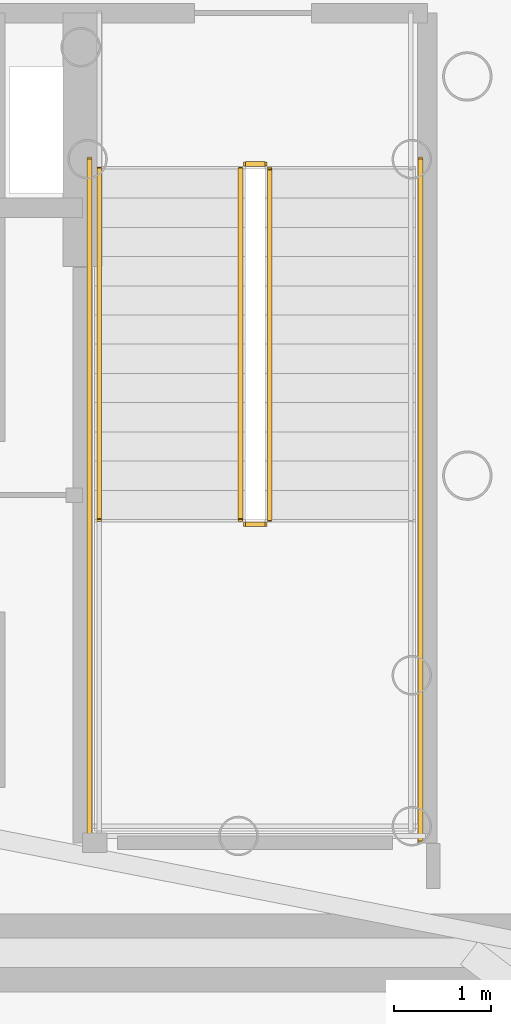
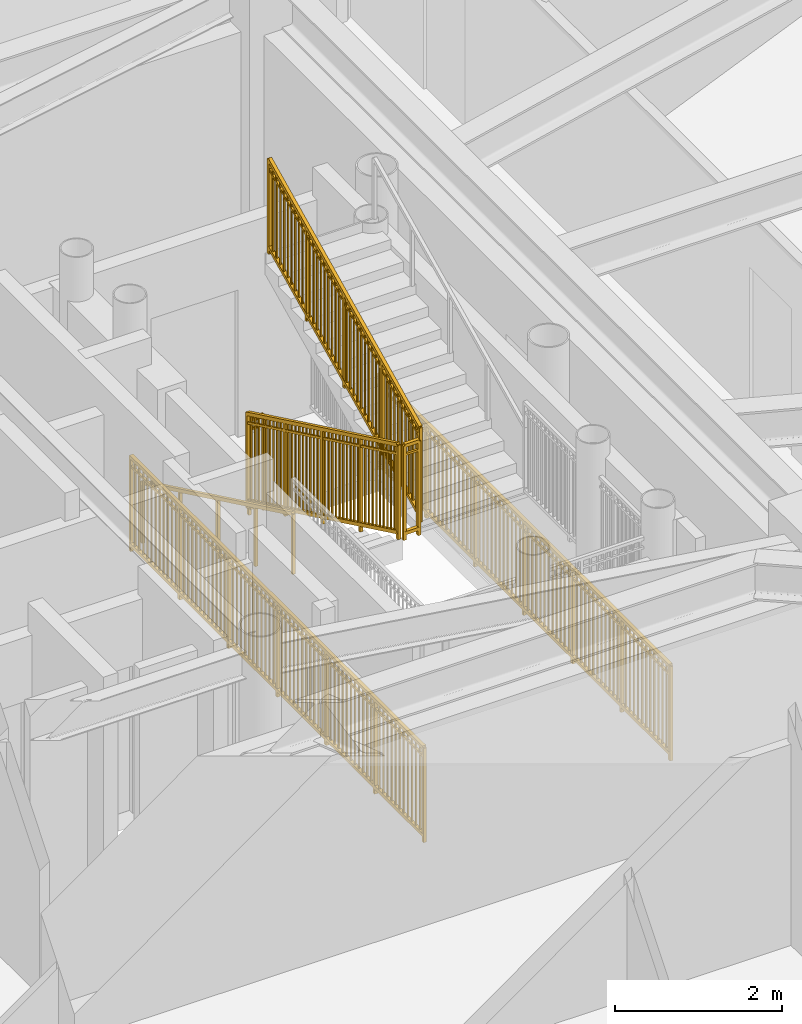
# One storey, part 16 of 18: 7 railings.
"""IFC4 building model written with IfcOpenShell, lengths in metres."""

from ifc_helpers import new_model, si_unit, direction, frame, origin, origin_2d, place, context, subcontext, project, spatial, rectangle, extrude, source, transform, mapped, material, type_object, element, save


model = new_model("IFC4")

# Units and contexts
model_context = context("Model", 3, precision=1e-05, world=origin(), true_north=direction((0.0, 1.0)))
body_context = subcontext(model_context, "Body", "Model", "MODEL_VIEW")
ifc_project = project(units=[si_unit("LENGTHUNIT", "METRE"), si_unit("AREAUNIT", "SQUARE_METRE"), si_unit("VOLUMEUNIT", "CUBIC_METRE"), si_unit("PLANEANGLEUNIT", "RADIAN"), si_unit("MASSUNIT", "GRAM", prefix="KILO")], contexts=[model_context])

# Site, building, storey
site_placement = place(None, origin())
site = spatial("IfcSite", under=ifc_project, at=site_placement, CompositionType="ELEMENT")
building_placement = place(site_placement, origin())
building = spatial("IfcBuilding", under=site, at=building_placement, Name="Linh Dai School and Residence Tower", CompositionType="ELEMENT")
storey_placement = place(building_placement, frame((0.0, 0.0, 104.699951171875)))
storey = spatial("IfcBuildingStorey", under=building, at=storey_placement, Name="L24", CompositionType="ELEMENT", Elevation=104.699951171875)

# Railings
ifc_material_1 = material(Name="Structural Steel S355JR", Category="steel")
railing_type_1 = type_object("IfcRailingType", Name="RL-ST-GUARD-1400", PredefinedType="GUARDRAIL", material=ifc_material_1)
shared_shape_1 = source(origin(), body_context, "Body", "SweptSolid", [
    extrude(rectangle(XDim=0.048095703125, YDim=0.048095703125, at=origin_2d()), frame((0.0, 0.0, 1.3759765625), z_axis=(0.0, 0.901262522062, 0.433273431364), x_axis=(-1.0, 0.0, 0.0)), (0.0, 0.0, 1.0), 3.994384765625),
    extrude(rectangle(XDim=0.048095703125, YDim=0.048095703125, at=origin_2d()), frame((0.0, 0.0, 0.10009765625), z_axis=(0.0, 0.901262522062, 0.433273431364), x_axis=(-1.0, 0.0, 0.0)), (0.0, 0.0, 1.0), 3.994384765625),
    extrude(rectangle(XDim=0.030029296875, YDim=0.030029296875, at=origin_2d()), frame((0.0, 0.0, 1.239990234375), z_axis=(0.0, 0.901262522062, 0.433273431364), x_axis=(-1.0, 0.0, 0.0)), (0.0, 0.0, 1.0), 3.994384765625),
    extrude(rectangle(XDim=0.02001953125, YDim=0.02001953125, at=origin_2d()), frame((0.0, 0.087890625, 0.142333984375)), (0.0, 0.0, 1.0), 1.251708984375),
    extrude(rectangle(XDim=0.02001953125, YDim=0.02001953125, at=origin_2d()), frame((0.0, 0.175537109375, 0.1845703125)), (0.0, 0.0, 1.0), 1.251708984375),
    extrude(rectangle(XDim=0.02001953125, YDim=0.02001953125, at=origin_2d()), frame((0.0, 0.263427734375, 0.226806640625)), (0.0, 0.0, 1.0), 1.251708984375),
    extrude(rectangle(XDim=0.02001953125, YDim=0.02001953125, at=origin_2d()), frame((0.0, 0.351318359375, 0.26904296875)), (0.0, 0.0, 1.0), 1.251708984375),
    extrude(rectangle(XDim=0.02001953125, YDim=0.02001953125, at=origin_2d()), frame((0.0, 0.43896484375, 0.311279296875)), (0.0, 0.0, 1.0), 1.251708984375),
    extrude(rectangle(XDim=0.02001953125, YDim=0.02001953125, at=origin_2d()), frame((0.0, 0.52685546875, 0.353271484375)), (0.0, 0.0, 1.0), 1.251708984375),
    extrude(rectangle(XDim=0.02001953125, YDim=0.02001953125, at=origin_2d()), frame((0.0, 0.61474609375, 0.3955078125)), (0.0, 0.0, 1.0), 1.251708984375),
    extrude(rectangle(XDim=0.02001953125, YDim=0.02001953125, at=origin_2d()), frame((0.0, 0.702392578125, 0.437744140625)), (0.0, 0.0, 1.0), 1.251708984375),
    extrude(rectangle(XDim=0.02001953125, YDim=0.02001953125, at=origin_2d()), frame((0.0, 0.790283203125, 0.47998046875)), (0.0, 0.0, 1.0), 1.251708984375),
    extrude(rectangle(XDim=0.02001953125, YDim=0.02001953125, at=origin_2d()), frame((0.0, 0.9658203125, 0.564453125)), (0.0, 0.0, 1.0), 1.251708984375),
    extrude(rectangle(XDim=0.02001953125, YDim=0.02001953125, at=origin_2d()), frame((0.0, 1.0537109375, 0.606689453125)), (0.0, 0.0, 1.0), 1.251708984375),
    extrude(rectangle(XDim=0.02001953125, YDim=0.02001953125, at=origin_2d()), frame((0.0, 1.1416015625, 0.64892578125)), (0.0, 0.0, 1.0), 1.251708984375),
    extrude(rectangle(XDim=0.02001953125, YDim=0.02001953125, at=origin_2d()), frame((0.0, 1.229248046875, 0.691162109375)), (0.0, 0.0, 1.0), 1.251708984375),
    extrude(rectangle(XDim=0.02001953125, YDim=0.02001953125, at=origin_2d()), frame((0.0, 1.317138671875, 0.7333984375)), (0.0, 0.0, 1.0), 1.251708984375),
    extrude(rectangle(XDim=0.02001953125, YDim=0.02001953125, at=origin_2d()), frame((0.0, 1.405029296875, 0.775390625)), (0.0, 0.0, 1.0), 1.251708984375),
    extrude(rectangle(XDim=0.02001953125, YDim=0.02001953125, at=origin_2d()), frame((0.0, 1.49267578125, 0.817626953125)), (0.0, 0.0, 1.0), 1.251708984375),
    extrude(rectangle(XDim=0.02001953125, YDim=0.02001953125, at=origin_2d()), frame((0.0, 1.58056640625, 0.85986328125)), (0.0, 0.0, 1.0), 1.251708984375),
    extrude(rectangle(XDim=0.02001953125, YDim=0.02001953125, at=origin_2d()), frame((0.0, 1.66845703125, 0.902099609375)), (0.0, 0.0, 1.0), 1.251708984375),
    extrude(rectangle(XDim=0.02001953125, YDim=0.02001953125, at=origin_2d()), frame((0.0, 1.756103515625, 0.9443359375)), (0.0, 0.0, 1.0), 1.251708984375),
    extrude(rectangle(XDim=0.02001953125, YDim=0.02001953125, at=origin_2d()), frame((0.0, 1.843994140625, 0.986572265625)), (0.0, 0.0, 1.0), 1.251708984375),
    extrude(rectangle(XDim=0.02001953125, YDim=0.02001953125, at=origin_2d()), frame((0.0, 1.931640625, 1.02880859375)), (0.0, 0.0, 1.0), 1.251708984375),
    extrude(rectangle(XDim=0.02001953125, YDim=0.02001953125, at=origin_2d()), frame((0.0, 2.01953125, 1.071044921875)), (0.0, 0.0, 1.0), 1.251708984375),
    extrude(rectangle(XDim=0.02001953125, YDim=0.02001953125, at=origin_2d()), frame((0.0, 2.107421875, 1.11328125)), (0.0, 0.0, 1.0), 1.251708984375),
    extrude(rectangle(XDim=0.02001953125, YDim=0.02001953125, at=origin_2d()), frame((0.0, 2.195068359375, 1.155517578125)), (0.0, 0.0, 1.0), 1.251708984375),
    extrude(rectangle(XDim=0.02001953125, YDim=0.02001953125, at=origin_2d()), frame((0.0, 2.282958984375, 1.197509765625)), (0.0, 0.0, 1.0), 1.251708984375),
    extrude(rectangle(XDim=0.02001953125, YDim=0.02001953125, at=origin_2d()), frame((0.0, 2.370849609375, 1.23974609375)), (0.0, 0.0, 1.0), 1.251708984375),
    extrude(rectangle(XDim=0.02001953125, YDim=0.02001953125, at=origin_2d()), frame((0.0, 2.45849609375, 1.281982421875)), (0.0, 0.0, 1.0), 1.251708984375),
    extrude(rectangle(XDim=0.02001953125, YDim=0.02001953125, at=origin_2d()), frame((0.0, 2.54638671875, 1.32421875)), (0.0, 0.0, 1.0), 1.251708984375),
    extrude(rectangle(XDim=0.02001953125, YDim=0.02001953125, at=origin_2d()), frame((0.0, 2.63427734375, 1.366455078125)), (0.0, 0.0, 1.0), 1.251708984375),
    extrude(rectangle(XDim=0.02001953125, YDim=0.02001953125, at=origin_2d()), frame((0.0, 2.809814453125, 1.450927734375)), (0.0, 0.0, 1.0), 1.251708984375),
    extrude(rectangle(XDim=0.02001953125, YDim=0.02001953125, at=origin_2d()), frame((0.0, 2.897705078125, 1.4931640625)), (0.0, 0.0, 1.0), 1.251708984375),
    extrude(rectangle(XDim=0.02001953125, YDim=0.02001953125, at=origin_2d()), frame((0.0, 2.9853515625, 1.535400390625)), (0.0, 0.0, 1.0), 1.251708984375),
    extrude(rectangle(XDim=0.02001953125, YDim=0.02001953125, at=origin_2d()), frame((0.0, 3.0732421875, 1.57763671875)), (0.0, 0.0, 1.0), 1.251708984375),
    extrude(rectangle(XDim=0.02001953125, YDim=0.02001953125, at=origin_2d()), frame((0.0, 3.1611328125, 1.61962890625)), (0.0, 0.0, 1.0), 1.251708984375),
    extrude(rectangle(XDim=0.02001953125, YDim=0.02001953125, at=origin_2d()), frame((0.0, 3.248779296875, 1.661865234375)), (0.0, 0.0, 1.0), 1.251708984375),
    extrude(rectangle(XDim=0.02001953125, YDim=0.02001953125, at=origin_2d()), frame((0.0, 3.336669921875, 1.7041015625)), (0.0, 0.0, 1.0), 1.251708984375),
    extrude(rectangle(XDim=0.02001953125, YDim=0.02001953125, at=origin_2d()), frame((0.0, 3.424560546875, 1.746337890625)), (0.0, 0.0, 1.0), 1.251708984375),
    extrude(rectangle(XDim=0.02001953125, YDim=0.02001953125, at=origin_2d()), frame((0.0, 3.51220703125, 1.78857421875)), (0.0, 0.0, 1.0), 1.251708984375),
    extrude(rectangle(XDim=0.0419921875, YDim=0.0419921875, at=origin_2d()), origin(), (0.0, 0.0, 1.0), 1.3759765625),
    extrude(rectangle(XDim=0.0419921875, YDim=0.0419921875, at=origin_2d()), frame((0.0, 0.89990234375, 0.4326171875)), (0.0, 0.0, 1.0), 1.3759765625),
    extrude(rectangle(XDim=0.0419921875, YDim=0.0419921875, at=origin_2d()), frame((0.0, 1.800048828125, 0.865234375)), (0.0, 0.0, 1.0), 1.3759765625),
    extrude(rectangle(XDim=0.0419921875, YDim=0.0419921875, at=origin_2d()), frame((0.0, 2.7001953125, 1.298095703125)), (0.0, 0.0, 1.0), 1.3759765625),
    extrude(rectangle(XDim=0.0419921875, YDim=0.0419921875, at=origin_2d()), frame((0.0, 3.60009765625, 1.730712890625)), (0.0, 0.0, 1.0), 1.3759765625),
])
railing_1_placement = place(storey_placement, frame((42.820068359375, 24.64990234375, 2.019287109375)))
element("IfcRailing", 1, at=railing_1_placement, inside=storey, type_object=railing_type_1, Name="L24 ST2 stair guard 6", PredefinedType="GUARDRAIL", context=body_context, shape_type="MappedRepresentation", body=[
    mapped(shared_shape_1, transform((0.0, 0.0, 0.0), x_axis=(1.0, 0.0, 0.0), y_axis=(0.0, 1.0, 0.0), z_axis=(0.0, 0.0, 1.0), scale=1.0)),
])
shared_shape_2 = source(origin(), body_context, "Body", "SweptSolid", [
    extrude(rectangle(XDim=0.048095703125, YDim=0.048095703125, at=origin_2d()), frame((0.0, 0.0, 1.3759765625), z_axis=(0.0, -0.901262522062, 0.433273431364), x_axis=(1.0, 0.0, 0.0)), (0.0, 0.0, 1.0), 3.994384765625),
    extrude(rectangle(XDim=0.048095703125, YDim=0.048095703125, at=origin_2d()), frame((0.0, 0.0, 0.10009765625), z_axis=(0.0, -0.901262522062, 0.433273431364), x_axis=(1.0, 0.0, 0.0)), (0.0, 0.0, 1.0), 3.994384765625),
    extrude(rectangle(XDim=0.030029296875, YDim=0.030029296875, at=origin_2d()), frame((0.0, 0.0, 1.239990234375), z_axis=(0.0, -0.901262522062, 0.433273431364), x_axis=(1.0, 0.0, 0.0)), (0.0, 0.0, 1.0), 3.994384765625),
    extrude(rectangle(XDim=0.02001953125, YDim=0.02001953125, at=origin_2d()), frame((0.0, -0.087890625, 0.142333984375)), (0.0, 0.0, 1.0), 1.251708984375),
    extrude(rectangle(XDim=0.02001953125, YDim=0.02001953125, at=origin_2d()), frame((0.0, -0.175537109375, 0.1845703125)), (0.0, 0.0, 1.0), 1.251708984375),
    extrude(rectangle(XDim=0.02001953125, YDim=0.02001953125, at=origin_2d()), frame((0.0, -0.263427734375, 0.226806640625)), (0.0, 0.0, 1.0), 1.251708984375),
    extrude(rectangle(XDim=0.02001953125, YDim=0.02001953125, at=origin_2d()), frame((0.0, -0.351318359375, 0.26904296875)), (0.0, 0.0, 1.0), 1.251708984375),
    extrude(rectangle(XDim=0.02001953125, YDim=0.02001953125, at=origin_2d()), frame((0.0, -0.43896484375, 0.311279296875)), (0.0, 0.0, 1.0), 1.251708984375),
    extrude(rectangle(XDim=0.02001953125, YDim=0.02001953125, at=origin_2d()), frame((0.0, -0.52685546875, 0.353271484375)), (0.0, 0.0, 1.0), 1.251708984375),
    extrude(rectangle(XDim=0.02001953125, YDim=0.02001953125, at=origin_2d()), frame((0.0, -0.61474609375, 0.3955078125)), (0.0, 0.0, 1.0), 1.251708984375),
    extrude(rectangle(XDim=0.02001953125, YDim=0.02001953125, at=origin_2d()), frame((0.0, -0.702392578125, 0.437744140625)), (0.0, 0.0, 1.0), 1.251708984375),
    extrude(rectangle(XDim=0.02001953125, YDim=0.02001953125, at=origin_2d()), frame((0.0, -0.790283203125, 0.47998046875)), (0.0, 0.0, 1.0), 1.251708984375),
    extrude(rectangle(XDim=0.02001953125, YDim=0.02001953125, at=origin_2d()), frame((0.0, -0.9658203125, 0.564453125)), (0.0, 0.0, 1.0), 1.251708984375),
    extrude(rectangle(XDim=0.02001953125, YDim=0.02001953125, at=origin_2d()), frame((0.0, -1.0537109375, 0.606689453125)), (0.0, 0.0, 1.0), 1.251708984375),
    extrude(rectangle(XDim=0.02001953125, YDim=0.02001953125, at=origin_2d()), frame((0.0, -1.1416015625, 0.64892578125)), (0.0, 0.0, 1.0), 1.251708984375),
    extrude(rectangle(XDim=0.02001953125, YDim=0.02001953125, at=origin_2d()), frame((0.0, -1.229248046875, 0.691162109375)), (0.0, 0.0, 1.0), 1.251708984375),
    extrude(rectangle(XDim=0.02001953125, YDim=0.02001953125, at=origin_2d()), frame((0.0, -1.317138671875, 0.7333984375)), (0.0, 0.0, 1.0), 1.251708984375),
    extrude(rectangle(XDim=0.02001953125, YDim=0.02001953125, at=origin_2d()), frame((0.0, -1.405029296875, 0.775390625)), (0.0, 0.0, 1.0), 1.251708984375),
    extrude(rectangle(XDim=0.02001953125, YDim=0.02001953125, at=origin_2d()), frame((0.0, -1.49267578125, 0.817626953125)), (0.0, 0.0, 1.0), 1.251708984375),
    extrude(rectangle(XDim=0.02001953125, YDim=0.02001953125, at=origin_2d()), frame((0.0, -1.58056640625, 0.85986328125)), (0.0, 0.0, 1.0), 1.251708984375),
    extrude(rectangle(XDim=0.02001953125, YDim=0.02001953125, at=origin_2d()), frame((0.0, -1.66845703125, 0.902099609375)), (0.0, 0.0, 1.0), 1.251708984375),
    extrude(rectangle(XDim=0.02001953125, YDim=0.02001953125, at=origin_2d()), frame((0.0, -1.756103515625, 0.9443359375)), (0.0, 0.0, 1.0), 1.251708984375),
    extrude(rectangle(XDim=0.02001953125, YDim=0.02001953125, at=origin_2d()), frame((0.0, -1.843994140625, 0.986572265625)), (0.0, 0.0, 1.0), 1.251708984375),
    extrude(rectangle(XDim=0.02001953125, YDim=0.02001953125, at=origin_2d()), frame((0.0, -1.931640625, 1.02880859375)), (0.0, 0.0, 1.0), 1.251708984375),
    extrude(rectangle(XDim=0.02001953125, YDim=0.02001953125, at=origin_2d()), frame((0.0, -2.01953125, 1.071044921875)), (0.0, 0.0, 1.0), 1.251708984375),
    extrude(rectangle(XDim=0.02001953125, YDim=0.02001953125, at=origin_2d()), frame((0.0, -2.107421875, 1.11328125)), (0.0, 0.0, 1.0), 1.251708984375),
    extrude(rectangle(XDim=0.02001953125, YDim=0.02001953125, at=origin_2d()), frame((0.0, -2.195068359375, 1.155517578125)), (0.0, 0.0, 1.0), 1.251708984375),
    extrude(rectangle(XDim=0.02001953125, YDim=0.02001953125, at=origin_2d()), frame((0.0, -2.282958984375, 1.197509765625)), (0.0, 0.0, 1.0), 1.251708984375),
    extrude(rectangle(XDim=0.02001953125, YDim=0.02001953125, at=origin_2d()), frame((0.0, -2.370849609375, 1.23974609375)), (0.0, 0.0, 1.0), 1.251708984375),
    extrude(rectangle(XDim=0.02001953125, YDim=0.02001953125, at=origin_2d()), frame((0.0, -2.45849609375, 1.281982421875)), (0.0, 0.0, 1.0), 1.251708984375),
    extrude(rectangle(XDim=0.02001953125, YDim=0.02001953125, at=origin_2d()), frame((0.0, -2.54638671875, 1.32421875)), (0.0, 0.0, 1.0), 1.251708984375),
    extrude(rectangle(XDim=0.02001953125, YDim=0.02001953125, at=origin_2d()), frame((0.0, -2.63427734375, 1.366455078125)), (0.0, 0.0, 1.0), 1.251708984375),
    extrude(rectangle(XDim=0.02001953125, YDim=0.02001953125, at=origin_2d()), frame((0.0, -2.809814453125, 1.450927734375)), (0.0, 0.0, 1.0), 1.251708984375),
    extrude(rectangle(XDim=0.02001953125, YDim=0.02001953125, at=origin_2d()), frame((0.0, -2.897705078125, 1.4931640625)), (0.0, 0.0, 1.0), 1.251708984375),
    extrude(rectangle(XDim=0.02001953125, YDim=0.02001953125, at=origin_2d()), frame((0.0, -2.9853515625, 1.535400390625)), (0.0, 0.0, 1.0), 1.251708984375),
    extrude(rectangle(XDim=0.02001953125, YDim=0.02001953125, at=origin_2d()), frame((0.0, -3.0732421875, 1.57763671875)), (0.0, 0.0, 1.0), 1.251708984375),
    extrude(rectangle(XDim=0.02001953125, YDim=0.02001953125, at=origin_2d()), frame((0.0, -3.1611328125, 1.61962890625)), (0.0, 0.0, 1.0), 1.251708984375),
    extrude(rectangle(XDim=0.02001953125, YDim=0.02001953125, at=origin_2d()), frame((0.0, -3.248779296875, 1.661865234375)), (0.0, 0.0, 1.0), 1.251708984375),
    extrude(rectangle(XDim=0.02001953125, YDim=0.02001953125, at=origin_2d()), frame((0.0, -3.336669921875, 1.7041015625)), (0.0, 0.0, 1.0), 1.251708984375),
    extrude(rectangle(XDim=0.02001953125, YDim=0.02001953125, at=origin_2d()), frame((0.0, -3.424560546875, 1.746337890625)), (0.0, 0.0, 1.0), 1.251708984375),
    extrude(rectangle(XDim=0.02001953125, YDim=0.02001953125, at=origin_2d()), frame((0.0, -3.51220703125, 1.78857421875)), (0.0, 0.0, 1.0), 1.251708984375),
    extrude(rectangle(XDim=0.0419921875, YDim=0.0419921875, at=origin_2d()), origin(), (0.0, 0.0, 1.0), 1.3759765625),
    extrude(rectangle(XDim=0.0419921875, YDim=0.0419921875, at=origin_2d()), frame((0.0, -0.89990234375, 0.4326171875)), (0.0, 0.0, 1.0), 1.3759765625),
    extrude(rectangle(XDim=0.0419921875, YDim=0.0419921875, at=origin_2d()), frame((0.0, -1.800048828125, 0.865234375)), (0.0, 0.0, 1.0), 1.3759765625),
    extrude(rectangle(XDim=0.0419921875, YDim=0.0419921875, at=origin_2d()), frame((0.0, -2.7001953125, 1.298095703125)), (0.0, 0.0, 1.0), 1.3759765625),
    extrude(rectangle(XDim=0.0419921875, YDim=0.0419921875, at=origin_2d()), frame((0.0, -3.60009765625, 1.730712890625)), (0.0, 0.0, 1.0), 1.3759765625),
])
railing_2_placement = place(storey_placement, frame((42.52001953125, 28.25, 0.144287109375)))
element("IfcRailing", 2, at=railing_2_placement, inside=storey, type_object=railing_type_1, Name="L24 ST2 stair guard 1", PredefinedType="GUARDRAIL", context=body_context, shape_type="MappedRepresentation", body=[
    mapped(shared_shape_2, transform((0.0, 0.0, 0.0), x_axis=(1.0, 0.0, 0.0), y_axis=(0.0, 1.0, 0.0), z_axis=(0.0, 0.0, 1.0), scale=1.0)),
])
ifc_material_2 = material(Name="Brushed Stainless Steel Handrail", Category="steel")
railing_type_2 = type_object("IfcRailingType", Name="RL-ST-HANDRAIL-900", PredefinedType="HANDRAIL", material=ifc_material_2)
shared_shape_3 = source(origin(), body_context, "Body", "SweptSolid", [
    extrude(rectangle(XDim=0.048095703125, YDim=0.048095703125, at=origin_2d()), frame((0.0, 0.0, 0.8759765625), z_axis=(0.0, -0.901262522062, 0.433273431364), x_axis=(1.0, 0.0, 0.0)), (0.0, 0.0, 1.0), 3.994384765625),
    extrude(rectangle(XDim=0.0419921875, YDim=0.0419921875, at=origin_2d()), origin(), (0.0, 0.0, 1.0), 0.8759765625),
    extrude(rectangle(XDim=0.0419921875, YDim=0.0419921875, at=origin_2d()), frame((0.0, -0.89990234375, 0.4326171875)), (0.0, 0.0, 1.0), 0.8759765625),
    extrude(rectangle(XDim=0.0419921875, YDim=0.0419921875, at=origin_2d()), frame((0.0, -1.800048828125, 0.865234375)), (0.0, 0.0, 1.0), 0.8759765625),
    extrude(rectangle(XDim=0.0419921875, YDim=0.0419921875, at=origin_2d()), frame((0.0, -2.7001953125, 1.298095703125)), (0.0, 0.0, 1.0), 0.8759765625),
    extrude(rectangle(XDim=0.0419921875, YDim=0.0419921875, at=origin_2d()), frame((0.0, -3.60009765625, 1.730712890625)), (0.0, 0.0, 1.0), 0.8759765625),
])
railing_3_placement = place(storey_placement, frame((41.070068359375, 28.25, 0.144287109375)))
element("IfcRailing", 3, at=railing_3_placement, inside=storey, type_object=railing_type_2, Name="L24 ST2 stair handrail 1", PredefinedType="HANDRAIL", context=body_context, shape_type="MappedRepresentation", body=[
    mapped(shared_shape_3, transform((0.0, 0.0, 0.0), x_axis=(1.0, 0.0, 0.0), y_axis=(0.0, 1.0, 0.0), z_axis=(0.0, 0.0, 1.0), scale=1.0)),
])
shared_shape_4 = source(origin(), body_context, "Body", "SweptSolid", [
    extrude(rectangle(XDim=0.048095703125, YDim=0.048095703125, at=origin_2d()), frame((0.0, 0.0, 1.3759765625), z_axis=(1.0, 0.0, 0.0), x_axis=(0.0, 1.0, 0.0)), (0.0, 0.0, 1.0), 0.199951171875),
    extrude(rectangle(XDim=0.048095703125, YDim=0.048095703125, at=origin_2d()), frame((0.0, 0.0, 0.10009765625), z_axis=(1.0, 0.0, 0.0), x_axis=(0.0, 1.0, 0.0)), (0.0, 0.0, 1.0), 0.199951171875),
    extrude(rectangle(XDim=0.030029296875, YDim=0.030029296875, at=origin_2d()), frame((0.0, 0.0, 1.239990234375), z_axis=(1.0, 0.0, 0.0), x_axis=(0.0, 1.0, 0.0)), (0.0, 0.0, 1.0), 0.199951171875),
    extrude(rectangle(XDim=0.0419921875, YDim=0.0419921875, at=origin_2d()), origin(), (0.0, 0.0, 1.0), 1.3759765625),
    extrude(rectangle(XDim=0.0419921875, YDim=0.0419921875, at=origin_2d()), frame((0.199951171875, 0.0, 0.0)), (0.0, 0.0, 1.0), 1.3759765625),
])
for number, where, name in (
    (4, (42.570068359375, 24.60009765625, 1.875), "L24 ST2 stair guard 2"),
    (5, (42.570068359375, 28.300048828125, 0.0), "L24 ST2 stair guard 7"),
):
    element("IfcRailing", number, at=place(storey_placement, frame(where)), inside=storey, type_object=railing_type_1, Name=name, PredefinedType="GUARDRAIL", context=body_context, shape_type="MappedRepresentation", body=[
        mapped(shared_shape_4, transform((0.0, 0.0, 0.0), x_axis=(1.0, 0.0, 0.0), y_axis=(0.0, 1.0, 0.0), z_axis=(0.0, 0.0, 1.0), scale=1.0)),
    ])
shared_shape_5 = source(origin(), body_context, "Body", "SweptSolid", [
    extrude(rectangle(XDim=0.048095703125, YDim=0.048095703125, at=origin_2d()), frame((0.0, 0.0, 1.3759765625), z_axis=(0.0, -1.0, 0.0), x_axis=(1.0, 0.0, 0.0)), (0.0, 0.0, 1.0), 7.0),
    extrude(rectangle(XDim=0.048095703125, YDim=0.048095703125, at=origin_2d()), frame((0.0, 0.0, 0.10009765625), z_axis=(0.0, -1.0, 0.0), x_axis=(1.0, 0.0, 0.0)), (0.0, 0.0, 1.0), 7.0),
    extrude(rectangle(XDim=0.030029296875, YDim=0.030029296875, at=origin_2d()), frame((0.0, 0.0, 1.239990234375), z_axis=(0.0, -1.0, 0.0), x_axis=(1.0, 0.0, 0.0)), (0.0, 0.0, 1.0), 7.0),
    extrude(rectangle(XDim=0.02001953125, YDim=0.02001953125, at=origin_2d()), frame((0.0, -0.09716796875, 0.10009765625)), (0.0, 0.0, 1.0), 1.251708984375),
    extrude(rectangle(XDim=0.02001953125, YDim=0.02001953125, at=origin_2d()), frame((0.0, -0.1943359375, 0.10009765625)), (0.0, 0.0, 1.0), 1.251708984375),
    extrude(rectangle(XDim=0.02001953125, YDim=0.02001953125, at=origin_2d()), frame((0.0, -0.291748046875, 0.10009765625)), (0.0, 0.0, 1.0), 1.251708984375),
    extrude(rectangle(XDim=0.02001953125, YDim=0.02001953125, at=origin_2d()), frame((0.0, -0.388916015625, 0.10009765625)), (0.0, 0.0, 1.0), 1.251708984375),
    extrude(rectangle(XDim=0.02001953125, YDim=0.02001953125, at=origin_2d()), frame((0.0, -0.486083984375, 0.10009765625)), (0.0, 0.0, 1.0), 1.251708984375),
    extrude(rectangle(XDim=0.02001953125, YDim=0.02001953125, at=origin_2d()), frame((0.0, -0.583251953125, 0.10009765625)), (0.0, 0.0, 1.0), 1.251708984375),
    extrude(rectangle(XDim=0.02001953125, YDim=0.02001953125, at=origin_2d()), frame((0.0, -0.6806640625, 0.10009765625)), (0.0, 0.0, 1.0), 1.251708984375),
    extrude(rectangle(XDim=0.02001953125, YDim=0.02001953125, at=origin_2d()), frame((0.0, -0.77783203125, 0.10009765625)), (0.0, 0.0, 1.0), 1.251708984375),
    extrude(rectangle(XDim=0.02001953125, YDim=0.02001953125, at=origin_2d()), frame((0.0, -0.875, 0.10009765625)), (0.0, 0.0, 1.0), 1.251708984375),
    extrude(rectangle(XDim=0.02001953125, YDim=0.02001953125, at=origin_2d()), frame((0.0, -0.97216796875, 0.10009765625)), (0.0, 0.0, 1.0), 1.251708984375),
    extrude(rectangle(XDim=0.02001953125, YDim=0.02001953125, at=origin_2d()), frame((0.0, -1.0693359375, 0.10009765625)), (0.0, 0.0, 1.0), 1.251708984375),
    extrude(rectangle(XDim=0.02001953125, YDim=0.02001953125, at=origin_2d()), frame((0.0, -1.263916015625, 0.10009765625)), (0.0, 0.0, 1.0), 1.251708984375),
    extrude(rectangle(XDim=0.02001953125, YDim=0.02001953125, at=origin_2d()), frame((0.0, -1.361083984375, 0.10009765625)), (0.0, 0.0, 1.0), 1.251708984375),
    extrude(rectangle(XDim=0.02001953125, YDim=0.02001953125, at=origin_2d()), frame((0.0, -1.458251953125, 0.10009765625)), (0.0, 0.0, 1.0), 1.251708984375),
    extrude(rectangle(XDim=0.02001953125, YDim=0.02001953125, at=origin_2d()), frame((0.0, -1.5556640625, 0.10009765625)), (0.0, 0.0, 1.0), 1.251708984375),
    extrude(rectangle(XDim=0.02001953125, YDim=0.02001953125, at=origin_2d()), frame((0.0, -1.65283203125, 0.10009765625)), (0.0, 0.0, 1.0), 1.251708984375),
    extrude(rectangle(XDim=0.02001953125, YDim=0.02001953125, at=origin_2d()), frame((0.0, -1.75, 0.10009765625)), (0.0, 0.0, 1.0), 1.251708984375),
    extrude(rectangle(XDim=0.02001953125, YDim=0.02001953125, at=origin_2d()), frame((0.0, -1.84716796875, 0.10009765625)), (0.0, 0.0, 1.0), 1.251708984375),
    extrude(rectangle(XDim=0.02001953125, YDim=0.02001953125, at=origin_2d()), frame((0.0, -1.9443359375, 0.10009765625)), (0.0, 0.0, 1.0), 1.251708984375),
    extrude(rectangle(XDim=0.02001953125, YDim=0.02001953125, at=origin_2d()), frame((0.0, -2.041748046875, 0.10009765625)), (0.0, 0.0, 1.0), 1.251708984375),
    extrude(rectangle(XDim=0.02001953125, YDim=0.02001953125, at=origin_2d()), frame((0.0, -2.138916015625, 0.10009765625)), (0.0, 0.0, 1.0), 1.251708984375),
    extrude(rectangle(XDim=0.02001953125, YDim=0.02001953125, at=origin_2d()), frame((0.0, -2.236083984375, 0.10009765625)), (0.0, 0.0, 1.0), 1.251708984375),
    extrude(rectangle(XDim=0.02001953125, YDim=0.02001953125, at=origin_2d()), frame((0.0, -2.4306640625, 0.10009765625)), (0.0, 0.0, 1.0), 1.251708984375),
    extrude(rectangle(XDim=0.02001953125, YDim=0.02001953125, at=origin_2d()), frame((0.0, -2.52783203125, 0.10009765625)), (0.0, 0.0, 1.0), 1.251708984375),
    extrude(rectangle(XDim=0.02001953125, YDim=0.02001953125, at=origin_2d()), frame((0.0, -2.625, 0.10009765625)), (0.0, 0.0, 1.0), 1.251708984375),
    extrude(rectangle(XDim=0.02001953125, YDim=0.02001953125, at=origin_2d()), frame((0.0, -2.72216796875, 0.10009765625)), (0.0, 0.0, 1.0), 1.251708984375),
    extrude(rectangle(XDim=0.02001953125, YDim=0.02001953125, at=origin_2d()), frame((0.0, -2.8193359375, 0.10009765625)), (0.0, 0.0, 1.0), 1.251708984375),
    extrude(rectangle(XDim=0.02001953125, YDim=0.02001953125, at=origin_2d()), frame((0.0, -2.916748046875, 0.10009765625)), (0.0, 0.0, 1.0), 1.251708984375),
    extrude(rectangle(XDim=0.02001953125, YDim=0.02001953125, at=origin_2d()), frame((0.0, -3.013916015625, 0.10009765625)), (0.0, 0.0, 1.0), 1.251708984375),
    extrude(rectangle(XDim=0.02001953125, YDim=0.02001953125, at=origin_2d()), frame((0.0, -3.111083984375, 0.10009765625)), (0.0, 0.0, 1.0), 1.251708984375),
    extrude(rectangle(XDim=0.02001953125, YDim=0.02001953125, at=origin_2d()), frame((0.0, -3.208251953125, 0.10009765625)), (0.0, 0.0, 1.0), 1.251708984375),
    extrude(rectangle(XDim=0.02001953125, YDim=0.02001953125, at=origin_2d()), frame((0.0, -3.3056640625, 0.10009765625)), (0.0, 0.0, 1.0), 1.251708984375),
    extrude(rectangle(XDim=0.02001953125, YDim=0.02001953125, at=origin_2d()), frame((0.0, -3.40283203125, 0.10009765625)), (0.0, 0.0, 1.0), 1.251708984375),
    extrude(rectangle(XDim=0.02001953125, YDim=0.02001953125, at=origin_2d()), frame((0.0, -3.59716796875, 0.10009765625)), (0.0, 0.0, 1.0), 1.251708984375),
    extrude(rectangle(XDim=0.02001953125, YDim=0.02001953125, at=origin_2d()), frame((0.0, -3.6943359375, 0.10009765625)), (0.0, 0.0, 1.0), 1.251708984375),
    extrude(rectangle(XDim=0.02001953125, YDim=0.02001953125, at=origin_2d()), frame((0.0, -3.791748046875, 0.10009765625)), (0.0, 0.0, 1.0), 1.251708984375),
    extrude(rectangle(XDim=0.02001953125, YDim=0.02001953125, at=origin_2d()), frame((0.0, -3.888916015625, 0.10009765625)), (0.0, 0.0, 1.0), 1.251708984375),
    extrude(rectangle(XDim=0.02001953125, YDim=0.02001953125, at=origin_2d()), frame((0.0, -3.986083984375, 0.10009765625)), (0.0, 0.0, 1.0), 1.251708984375),
    extrude(rectangle(XDim=0.02001953125, YDim=0.02001953125, at=origin_2d()), frame((0.0, -4.083251953125, 0.10009765625)), (0.0, 0.0, 1.0), 1.251708984375),
    extrude(rectangle(XDim=0.02001953125, YDim=0.02001953125, at=origin_2d()), frame((0.0, -4.1806640625, 0.10009765625)), (0.0, 0.0, 1.0), 1.251708984375),
    extrude(rectangle(XDim=0.02001953125, YDim=0.02001953125, at=origin_2d()), frame((0.0, -4.27783203125, 0.10009765625)), (0.0, 0.0, 1.0), 1.251708984375),
    extrude(rectangle(XDim=0.02001953125, YDim=0.02001953125, at=origin_2d()), frame((0.0, -4.375, 0.10009765625)), (0.0, 0.0, 1.0), 1.251708984375),
    extrude(rectangle(XDim=0.02001953125, YDim=0.02001953125, at=origin_2d()), frame((0.0, -4.47216796875, 0.10009765625)), (0.0, 0.0, 1.0), 1.251708984375),
    extrude(rectangle(XDim=0.02001953125, YDim=0.02001953125, at=origin_2d()), frame((0.0, -4.5693359375, 0.10009765625)), (0.0, 0.0, 1.0), 1.251708984375),
    extrude(rectangle(XDim=0.02001953125, YDim=0.02001953125, at=origin_2d()), frame((0.0, -4.763916015625, 0.10009765625)), (0.0, 0.0, 1.0), 1.251708984375),
    extrude(rectangle(XDim=0.02001953125, YDim=0.02001953125, at=origin_2d()), frame((0.0, -4.861083984375, 0.10009765625)), (0.0, 0.0, 1.0), 1.251708984375),
    extrude(rectangle(XDim=0.02001953125, YDim=0.02001953125, at=origin_2d()), frame((0.0, -4.958251953125, 0.10009765625)), (0.0, 0.0, 1.0), 1.251708984375),
    extrude(rectangle(XDim=0.02001953125, YDim=0.02001953125, at=origin_2d()), frame((0.0, -5.0556640625, 0.10009765625)), (0.0, 0.0, 1.0), 1.251708984375),
    extrude(rectangle(XDim=0.02001953125, YDim=0.02001953125, at=origin_2d()), frame((0.0, -5.15283203125, 0.10009765625)), (0.0, 0.0, 1.0), 1.251708984375),
    extrude(rectangle(XDim=0.02001953125, YDim=0.02001953125, at=origin_2d()), frame((0.0, -5.25, 0.10009765625)), (0.0, 0.0, 1.0), 1.251708984375),
    extrude(rectangle(XDim=0.02001953125, YDim=0.02001953125, at=origin_2d()), frame((0.0, -5.34716796875, 0.10009765625)), (0.0, 0.0, 1.0), 1.251708984375),
    extrude(rectangle(XDim=0.02001953125, YDim=0.02001953125, at=origin_2d()), frame((0.0, -5.4443359375, 0.10009765625)), (0.0, 0.0, 1.0), 1.251708984375),
    extrude(rectangle(XDim=0.02001953125, YDim=0.02001953125, at=origin_2d()), frame((0.0, -5.541748046875, 0.10009765625)), (0.0, 0.0, 1.0), 1.251708984375),
    extrude(rectangle(XDim=0.02001953125, YDim=0.02001953125, at=origin_2d()), frame((0.0, -5.638916015625, 0.10009765625)), (0.0, 0.0, 1.0), 1.251708984375),
    extrude(rectangle(XDim=0.02001953125, YDim=0.02001953125, at=origin_2d()), frame((0.0, -5.736083984375, 0.10009765625)), (0.0, 0.0, 1.0), 1.251708984375),
    extrude(rectangle(XDim=0.02001953125, YDim=0.02001953125, at=origin_2d()), frame((0.0, -5.9306640625, 0.10009765625)), (0.0, 0.0, 1.0), 1.251708984375),
    extrude(rectangle(XDim=0.02001953125, YDim=0.02001953125, at=origin_2d()), frame((0.0, -6.02783203125, 0.10009765625)), (0.0, 0.0, 1.0), 1.251708984375),
    extrude(rectangle(XDim=0.02001953125, YDim=0.02001953125, at=origin_2d()), frame((0.0, -6.125, 0.10009765625)), (0.0, 0.0, 1.0), 1.251708984375),
    extrude(rectangle(XDim=0.02001953125, YDim=0.02001953125, at=origin_2d()), frame((0.0, -6.22216796875, 0.10009765625)), (0.0, 0.0, 1.0), 1.251708984375),
    extrude(rectangle(XDim=0.02001953125, YDim=0.02001953125, at=origin_2d()), frame((0.0, -6.3193359375, 0.10009765625)), (0.0, 0.0, 1.0), 1.251708984375),
    extrude(rectangle(XDim=0.02001953125, YDim=0.02001953125, at=origin_2d()), frame((0.0, -6.416748046875, 0.10009765625)), (0.0, 0.0, 1.0), 1.251708984375),
    extrude(rectangle(XDim=0.02001953125, YDim=0.02001953125, at=origin_2d()), frame((0.0, -6.513916015625, 0.10009765625)), (0.0, 0.0, 1.0), 1.251708984375),
    extrude(rectangle(XDim=0.02001953125, YDim=0.02001953125, at=origin_2d()), frame((0.0, -6.611083984375, 0.10009765625)), (0.0, 0.0, 1.0), 1.251708984375),
    extrude(rectangle(XDim=0.02001953125, YDim=0.02001953125, at=origin_2d()), frame((0.0, -6.708251953125, 0.10009765625)), (0.0, 0.0, 1.0), 1.251708984375),
    extrude(rectangle(XDim=0.02001953125, YDim=0.02001953125, at=origin_2d()), frame((0.0, -6.8056640625, 0.10009765625)), (0.0, 0.0, 1.0), 1.251708984375),
    extrude(rectangle(XDim=0.02001953125, YDim=0.02001953125, at=origin_2d()), frame((0.0, -6.90283203125, 0.10009765625)), (0.0, 0.0, 1.0), 1.251708984375),
    extrude(rectangle(XDim=0.0419921875, YDim=0.0419921875, at=origin_2d()), origin(), (0.0, 0.0, 1.0), 1.3759765625),
    extrude(rectangle(XDim=0.0419921875, YDim=0.0419921875, at=origin_2d()), frame((0.0, -1.166748046875, 0.0)), (0.0, 0.0, 1.0), 1.3759765625),
    extrude(rectangle(XDim=0.0419921875, YDim=0.0419921875, at=origin_2d()), frame((0.0, -2.333251953125, 0.0)), (0.0, 0.0, 1.0), 1.3759765625),
    extrude(rectangle(XDim=0.0419921875, YDim=0.0419921875, at=origin_2d()), frame((0.0, -3.5, 0.0)), (0.0, 0.0, 1.0), 1.3759765625),
    extrude(rectangle(XDim=0.0419921875, YDim=0.0419921875, at=origin_2d()), frame((0.0, -4.666748046875, 0.0)), (0.0, 0.0, 1.0), 1.3759765625),
    extrude(rectangle(XDim=0.0419921875, YDim=0.0419921875, at=origin_2d()), frame((0.0, -5.833251953125, 0.0)), (0.0, 0.0, 1.0), 1.3759765625),
    extrude(rectangle(XDim=0.0419921875, YDim=0.0419921875, at=origin_2d()), frame((0.0, -7.0, 0.0)), (0.0, 0.0, 1.0), 1.3759765625),
])
for number, where, name in (
    (6, (40.969970703125, 28.35009765625, 0.0), "L24 ST2 stair guard 10"),
    (7, (44.3701171875, 28.35009765625, 0.0), "L24 ST2 stair guard 11"),
):
    element("IfcRailing", number, at=place(storey_placement, frame(where)), inside=storey, type_object=railing_type_1, Name=name, PredefinedType="GUARDRAIL", context=body_context, shape_type="MappedRepresentation", body=[
        mapped(shared_shape_5, transform((0.0, 0.0, 0.0), x_axis=(1.0, 0.0, 0.0), y_axis=(0.0, 1.0, 0.0), z_axis=(0.0, 0.0, 1.0), scale=1.0)),
    ])

save(model, "model.ifc")
